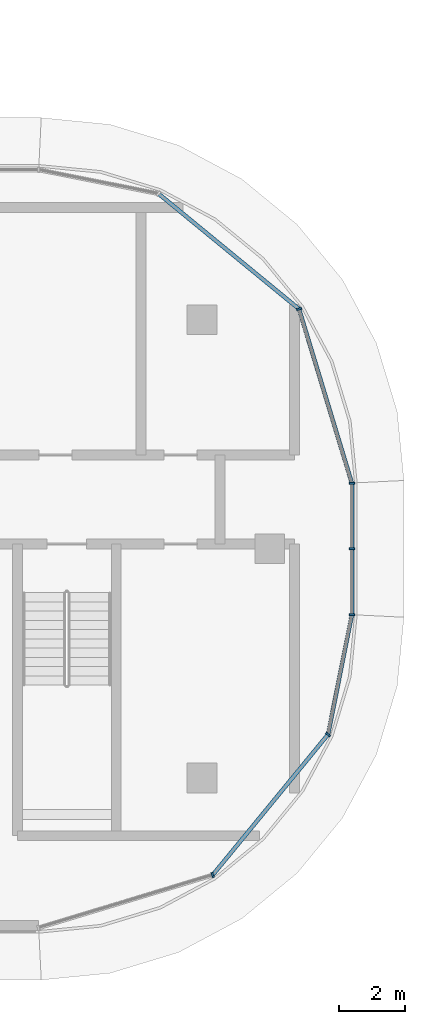
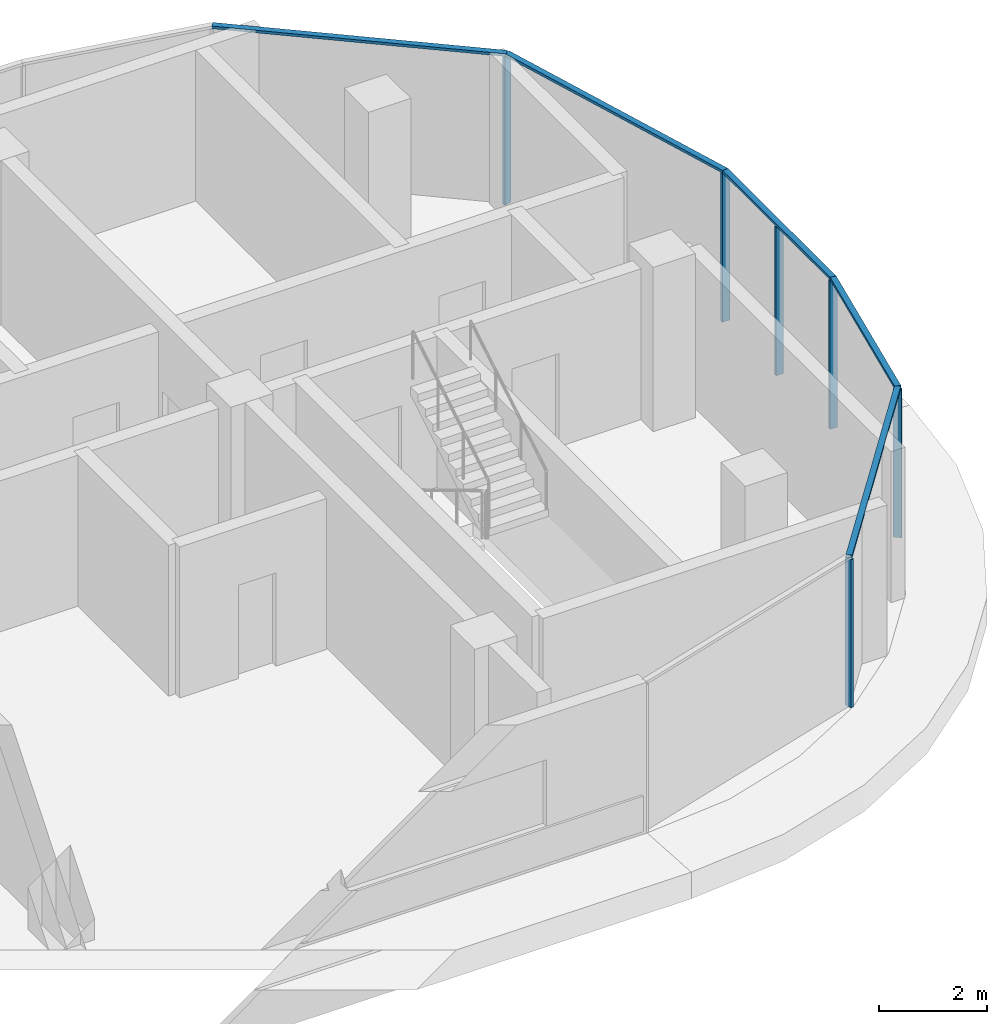
# One storey, part 7 of 20: 11 members, 3 elements without a shape of their own.
"""IFC4 building model written with IfcOpenShell, lengths in metres."""

from ifc_helpers import new_model, si_unit, direction, frame, origin, origin_2d, place, context, subcontext, project, spatial, rectangle, extrude, material, material_profile, profile_set, type_object, element, aggregate, save


model = new_model("IFC4")

# Units and contexts
model_context = context("Model", 3, precision=1e-05, world=origin(), true_north=direction((0.0, 1.0)))
body_context = subcontext(model_context, "Body", "Model", "MODEL_VIEW")
ifc_project = project(units=[si_unit("LENGTHUNIT", "METRE"), si_unit("AREAUNIT", "SQUARE_METRE"), si_unit("VOLUMEUNIT", "CUBIC_METRE"), si_unit("PLANEANGLEUNIT", "RADIAN"), si_unit("MASSUNIT", "GRAM", prefix="KILO")], contexts=[model_context])

# Site, building, storey
site_placement = place(None, origin())
site = spatial("IfcSite", under=ifc_project, at=site_placement, CompositionType="ELEMENT")
building_placement = place(site_placement, origin())
building = spatial("IfcBuilding", under=site, at=building_placement, Name="Ogive Portal Towers", CompositionType="ELEMENT")
storey_placement = place(building_placement, frame((0.0, 0.0, 232.800048828125)))
storey = spatial("IfcBuildingStorey", under=building, at=storey_placement, Name="L58", CompositionType="ELEMENT", Elevation=232.800048828125)

# Curtain wall, members
ifc_material_1 = material(Name="Glass, clear low-iron insulated glazing", Category="glass")
curtain_wall_type = type_object("IfcCurtainWallType", Name="CW FRONT RIBBON 4500", PredefinedType="NOTDEFINED", material=ifc_material_1)
curtain_wall_1_placement = place(storey_placement, origin())
curtain_wall_1 = element("IfcCurtainWall", 1, at=curtain_wall_1_placement, inside=storey, type_object=curtain_wall_type, Name="A:L58:f12:cw0", PredefinedType="NOTDEFINED")
ifc_material_2 = material(Name="Aluminium 6063 anodised", Category="aluminium")
ifc_material_profile_1 = material_profile(ifc_material_2, rectangle(XDim=0.159912109375, YDim=0.06005859375, at=origin_2d()), Name="AL 60x160")
ifc_profile_set_1 = profile_set([ifc_material_profile_1], Name="Aluminium 6063 anodised")
member_type_1 = type_object("IfcMemberType", Name="CW MULLION 60x160", PredefinedType="MULLION", material=ifc_profile_set_1)
member_1_placement = place(storey_placement, frame((96.9951171875, 28.5078125, 0.0), z_axis=(0.0, 0.0, 1.0), x_axis=(-1.0, 0.0, 0.0)))
member_1 = element("IfcMember", 2, at=member_1_placement, type_object=member_type_1, Name="mullion", PredefinedType="MULLION", context=body_context, shape_type="SweptSolid", body=[
    extrude(rectangle(XDim=0.159912109375, YDim=0.06005859375, at=origin_2d()), origin(), (0.0, 0.0, 1.0), 3.33984375),
])
member_2_placement = place(storey_placement, frame((96.9951171875, 30.5, 0.0), z_axis=(0.0, 0.0, 1.0), x_axis=(-1.0, 0.0, 0.0)))
member_2 = element("IfcMember", 3, at=member_2_placement, type_object=member_type_1, Name="mullion", PredefinedType="MULLION", context=body_context, shape_type="SweptSolid", body=[
    extrude(rectangle(XDim=0.159912109375, YDim=0.06005859375, at=origin_2d()), origin(), (0.0, 0.0, 1.0), 3.33984375),
])
member_3_placement = place(storey_placement, frame((96.9951171875, 32.488037109375, 0.0), z_axis=(0.0, 0.0, 1.0), x_axis=(-1.0, 0.0, 0.0)))
member_3 = element("IfcMember", 4, at=member_3_placement, type_object=member_type_1, Name="mullion", PredefinedType="MULLION", context=body_context, shape_type="SweptSolid", body=[
    extrude(rectangle(XDim=0.159912109375, YDim=0.06005859375, at=origin_2d()), origin(), (0.0, 0.0, 1.0), 3.33984375),
])

curtain_wall_2_placement = place(storey_placement, origin())
curtain_wall_2 = element("IfcCurtainWall", 5, at=curtain_wall_2_placement, inside=storey, type_object=curtain_wall_type, Name="A:L58:f09:cwa", PredefinedType="NOTDEFINED")
member_4_placement = place(storey_placement, frame((92.773193359375, 20.608154296875, 0.0), z_axis=(0.0, 0.0, 1.0), x_axis=(-0.290284677254, 0.956940335732, 0.0)))
member_4 = element("IfcMember", 6, at=member_4_placement, type_object=member_type_1, Name="mullion", PredefinedType="MULLION", context=body_context, shape_type="SweptSolid", body=[
    extrude(rectangle(XDim=0.159912109375, YDim=0.06005859375, at=origin_2d()), origin(), (0.0, 0.0, 1.0), 3.33984375),
])
member_5_placement = place(storey_placement, frame((96.271484375, 24.87109375, 0.0), z_axis=(0.0, 0.0, 1.0), x_axis=(-0.773010453363, 0.634393284164, 0.0)))
member_5 = element("IfcMember", 7, at=member_5_placement, type_object=member_type_1, Name="mullion", PredefinedType="MULLION", context=body_context, shape_type="SweptSolid", body=[
    extrude(rectangle(XDim=0.159912109375, YDim=0.06005859375, at=origin_2d()), origin(), (0.0, 0.0, 1.0), 3.33984375),
])

# Curtain wall, member
curtain_wall_3_placement = place(storey_placement, origin())
curtain_wall_3 = element("IfcCurtainWall", 8, at=curtain_wall_3_placement, inside=storey, type_object=curtain_wall_type, Name="A:L58:f13:cwa", PredefinedType="NOTDEFINED")
member_6_placement = place(storey_placement, frame((95.391845703125, 37.773193359375, 0.0), z_axis=(0.0, 0.0, 1.0), x_axis=(-0.956940335732, -0.290284677254, 0.0)))
member_6 = element("IfcMember", 9, at=member_6_placement, type_object=member_type_1, Name="mullion", PredefinedType="MULLION", context=body_context, shape_type="SweptSolid", body=[
    extrude(rectangle(XDim=0.159912109375, YDim=0.06005859375, at=origin_2d()), origin(), (0.0, 0.0, 1.0), 3.33984375),
])

# Member
ifc_material_profile_2 = material_profile(ifc_material_2, rectangle(XDim=0.1201171875, YDim=0.06005859375, at=origin_2d()), Name="AL 120x60")
ifc_profile_set_2 = profile_set([ifc_material_profile_2], Name="Aluminium 6063 anodised")
member_type_2 = type_object("IfcMemberType", Name="CW TRANSOM 60x120", PredefinedType="USERDEFINED", material=ifc_profile_set_2)
member_7_placement = place(storey_placement, frame((96.9951171875, 28.5078125, 3.369873046875), z_axis=(0.0, 1.0, 0.0), x_axis=(-1.0, 0.0, 0.0)))
member_7 = element("IfcMember", 10, at=member_7_placement, type_object=member_type_2, Name="transom", ObjectType="TRANSOM", PredefinedType="USERDEFINED", context=body_context, shape_type="SweptSolid", body=[
    extrude(rectangle(XDim=0.1201171875, YDim=0.06005859375, at=origin_2d()), origin(), (0.0, 0.0, 1.0), 3.980224609375),
])

aggregate(curtain_wall_1, [member_7, member_1, member_2, member_3])

member_8_placement = place(storey_placement, frame((92.773193359375, 20.608154296875, 3.369873046875), z_axis=(0.63437020596, 0.773029392579, 0.0), x_axis=(-0.773029392579, 0.63437020596, 0.0)))
member_8 = element("IfcMember", 11, at=member_8_placement, type_object=member_type_2, Name="transom", ObjectType="TRANSOM", PredefinedType="USERDEFINED", context=body_context, shape_type="SweptSolid", body=[
    extrude(rectangle(XDim=0.1201171875, YDim=0.06005859375, at=origin_2d()), origin(), (0.0, 0.0, 1.0), 5.5146484375),
])

member_9_placement = place(storey_placement, frame((96.271484375, 24.87109375, 3.369873046875), z_axis=(0.195153744134, 0.980772662828, 0.0), x_axis=(-0.980772662828, 0.195153744134, 0.0)))
member_9 = element("IfcMember", 12, at=member_9_placement, type_object=member_type_2, Name="transom", ObjectType="TRANSOM", PredefinedType="USERDEFINED", context=body_context, shape_type="SweptSolid", body=[
    extrude(rectangle(XDim=0.1201171875, YDim=0.06005859375, at=origin_2d()), origin(), (0.0, 0.0, 1.0), 3.7080078125),
])

aggregate(curtain_wall_2, [member_8, member_9, member_4, member_5])

member_10_placement = place(storey_placement, frame((96.9951171875, 32.488037109375, 3.369873046875), z_axis=(-0.290290789392, 0.956938481614, 0.0), x_axis=(-0.956938481614, -0.290290789392, 0.0)))
member_10 = element("IfcMember", 13, at=member_10_placement, type_object=member_type_2, Name="transom", ObjectType="TRANSOM", PredefinedType="USERDEFINED", context=body_context, shape_type="SweptSolid", body=[
    extrude(rectangle(XDim=0.1201171875, YDim=0.06005859375, at=origin_2d()), origin(), (0.0, 0.0, 1.0), 5.52294921875),
])

member_11_placement = place(storey_placement, frame((95.391845703125, 37.773193359375, 3.369873046875), z_axis=(-0.773029392579, 0.63437020596, 0.0), x_axis=(-0.63437020596, -0.773029392579, 0.0)))
member_11 = element("IfcMember", 14, at=member_11_placement, type_object=member_type_2, Name="transom", ObjectType="TRANSOM", PredefinedType="USERDEFINED", context=body_context, shape_type="SweptSolid", body=[
    extrude(rectangle(XDim=0.1201171875, YDim=0.06005859375, at=origin_2d()), origin(), (0.0, 0.0, 1.0), 5.5146484375),
])

aggregate(curtain_wall_3, [member_10, member_11, member_6])

save(model, "model.ifc")
